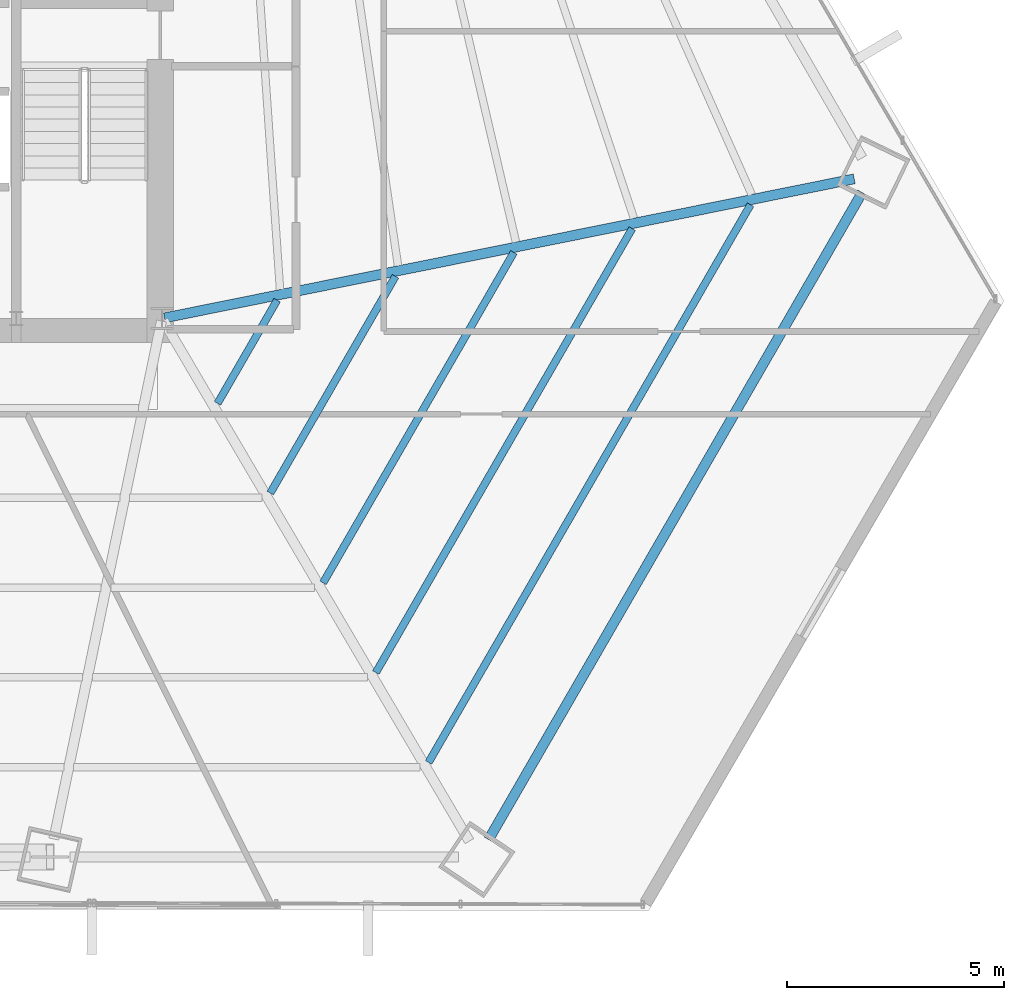
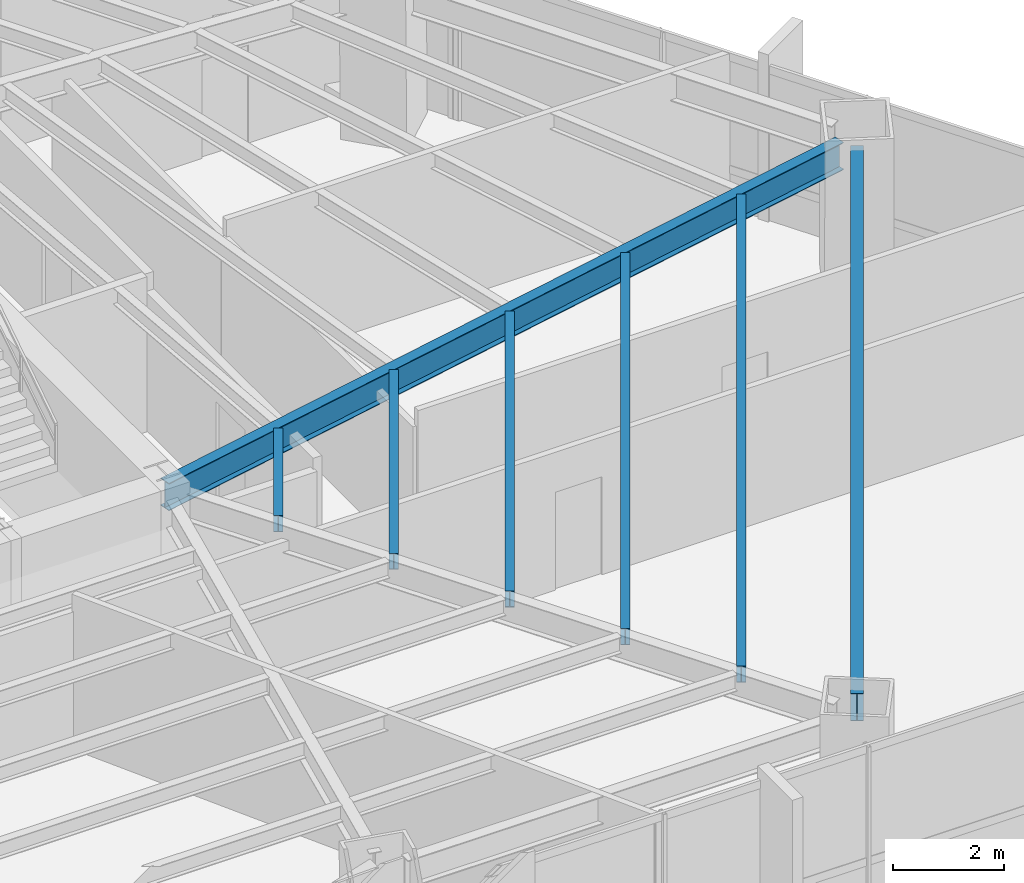
# One storey, part 15 of 33: 7 beams.
"""IFC4 building model written with IfcOpenShell, lengths in metres."""

from ifc_helpers import new_model, si_unit, direction, frame, origin, origin_2d, place, context, subcontext, project, spatial, i_section, extrude, source, transform, mapped, material, material_profile, profile_set, type_object, type_shapes, element, save


model = new_model("IFC4")

# Units and contexts
model_context = context("Model", 3, precision=1e-05, world=origin(), true_north=direction((0.0, 1.0)))
body_context = subcontext(model_context, "Body", "Model", "MODEL_VIEW")
ifc_project = project(units=[si_unit("LENGTHUNIT", "METRE"), si_unit("AREAUNIT", "SQUARE_METRE"), si_unit("VOLUMEUNIT", "CUBIC_METRE"), si_unit("PLANEANGLEUNIT", "RADIAN"), si_unit("MASSUNIT", "GRAM", prefix="KILO")], contexts=[model_context])

# Site, building, storey
site_placement = place(None, origin())
site = spatial("IfcSite", under=ifc_project, at=site_placement, CompositionType="ELEMENT")
building_placement = place(site_placement, origin())
building = spatial("IfcBuilding", under=site, at=building_placement, Name="Caelisora Broadcast Tower", CompositionType="ELEMENT")
storey_placement = place(building_placement, frame((0.0, 0.0, 34.89990234375)))
storey = spatial("IfcBuildingStorey", under=building, at=storey_placement, Name="L08", CompositionType="ELEMENT", Elevation=34.89990234375)

# Beams
ifc_material = material(Name="Steel Grade 350 (AS/NZS 3679.1)", Category="steel")
ifc_material_profile_1 = material_profile(ifc_material, i_section(OverallWidth=0.22900390625, OverallDepth=0.611572265625, WebThickness=0.011962890625, FlangeThickness=0.01953125, at=origin_2d()), Name="Steel Grade 350 (AS/NZS 3679.1)")
ifc_profile_set_1 = profile_set([ifc_material_profile_1], Name="Steel Grade 350 (AS/NZS 3679.1)")
beam_type_1 = type_object("IfcBeamType", Name="PG03", PredefinedType="BEAM", material=ifc_profile_set_1)
shared_shape_1 = source(origin(), body_context, "Body", "SweptSolid", [
    extrude(i_section(OverallWidth=0.22900390625, OverallDepth=0.611572265625, WebThickness=0.011962890625, FlangeThickness=0.01953125, at=origin_2d()), origin(), (0.0, 0.0, 1.0), 17.179931640625),
])
type_shapes(beam_type_1, [shared_shape_1])
beam_1_placement = place(storey_placement, frame((53.009765625, 5.415283203125, 3.09423828125), z_axis=(0.500007431298, 0.86602111328, 0.0), x_axis=(-0.86602111328, 0.500007431298, 0.0)))
element("IfcBeam", 1, at=beam_1_placement, inside=storey, type_object=beam_type_1, Name="L08 beam PG03", PredefinedType="BEAM", context=body_context, shape_type="MappedRepresentation", body=[
    mapped(shared_shape_1, transform((0.0, 0.0, 0.0), scale=1.0)),
])
ifc_material_profile_2 = material_profile(ifc_material, i_section(OverallWidth=0.22802734375, OverallDepth=0.602294921875, WebThickness=0.010498046875, FlangeThickness=0.014892578125, at=origin_2d()), Name="Steel Grade 350 (AS/NZS 3679.1)")
ifc_profile_set_2 = profile_set([ifc_material_profile_2], Name="Steel Grade 350 (AS/NZS 3679.1)")
beam_type_2 = type_object("IfcBeamType", Name="PG04", PredefinedType="BEAM", material=ifc_profile_set_2)
shared_shape_2 = source(origin(), body_context, "Body", "SweptSolid", [
    extrude(i_section(OverallWidth=0.22802734375, OverallDepth=0.602294921875, WebThickness=0.010498046875, FlangeThickness=0.014892578125, at=origin_2d()), origin(), (0.0, 0.0, 1.0), 16.178466796875),
])
type_shapes(beam_type_2, [shared_shape_2])
beam_2_placement = place(storey_placement, frame((45.558837890625, 17.411865234375, 3.098876953125), z_axis=(0.98028062823, 0.197610449918, 0.0), x_axis=(-0.197610449918, 0.98028062823, 0.0)))
element("IfcBeam", 2, at=beam_2_placement, inside=storey, type_object=beam_type_2, Name="L08 beam PG04", PredefinedType="BEAM", context=body_context, shape_type="MappedRepresentation", body=[
    mapped(shared_shape_2, transform((0.0, 0.0, 0.0), scale=1.0)),
])
ifc_material_profile_3 = material_profile(ifc_material, i_section(OverallWidth=0.172119140625, OverallDepth=0.358642578125, WebThickness=0.008056640625, FlangeThickness=0.012939453125, at=origin_2d()), Name="Steel Grade 350 (AS/NZS 3679.1)")
ifc_profile_set_3 = profile_set([ifc_material_profile_3], Name="Steel Grade 350 (AS/NZS 3679.1)")
beam_type_3 = type_object("IfcBeamType", Name="SB02", PredefinedType="JOIST", material=ifc_profile_set_3)
shared_shape_3 = source(origin(), body_context, "Body", "SweptSolid", [
    extrude(i_section(OverallWidth=0.172119140625, OverallDepth=0.358642578125, WebThickness=0.008056640625, FlangeThickness=0.012939453125, at=origin_2d()), origin(), (0.0, 0.0, 1.0), 2.73974609375),
])
beam_3_placement = place(storey_placement, frame((46.77734375, 15.447021484375, 3.220703125), z_axis=(0.500020724563, 0.866013438122, 0.0), x_axis=(-0.866013438122, 0.500020724563, 0.0)))
element("IfcBeam", 3, at=beam_3_placement, inside=storey, type_object=beam_type_3, Name="L08 beam SB02", PredefinedType="JOIST", context=body_context, shape_type="MappedRepresentation", body=[
    mapped(shared_shape_3, transform((0.0, 0.0, 0.0), scale=1.0)),
])
shared_shape_4 = source(origin(), body_context, "Body", "SweptSolid", [
    extrude(i_section(OverallWidth=0.172119140625, OverallDepth=0.358642578125, WebThickness=0.008056640625, FlangeThickness=0.012939453125, at=origin_2d()), origin(), (0.0, 0.0, 1.0), 5.75634765625),
])
beam_4_placement = place(storey_placement, frame((47.990478515625, 13.38330078125, 3.220703125), z_axis=(0.500052873733, 0.865994874968, 0.0), x_axis=(-0.865994874968, 0.500052873733, 0.0)))
element("IfcBeam", 4, at=beam_4_placement, inside=storey, type_object=beam_type_3, Name="L08 beam SB02", PredefinedType="JOIST", context=body_context, shape_type="MappedRepresentation", body=[
    mapped(shared_shape_4, transform((0.0, 0.0, 0.0), scale=1.0)),
])
shared_shape_5 = source(origin(), body_context, "Body", "SweptSolid", [
    extrude(i_section(OverallWidth=0.172119140625, OverallDepth=0.358642578125, WebThickness=0.008056640625, FlangeThickness=0.012939453125, at=origin_2d()), origin(), (0.0, 0.0, 1.0), 8.77294921875),
])
beam_5_placement = place(storey_placement, frame((49.203857421875, 11.3193359375, 3.220703125), z_axis=(0.499997070118, 0.866027095346, 0.0), x_axis=(-0.866027095346, 0.499997070118, 0.0)))
element("IfcBeam", 5, at=beam_5_placement, inside=storey, type_object=beam_type_3, Name="L08 beam SB02", PredefinedType="JOIST", context=body_context, shape_type="MappedRepresentation", body=[
    mapped(shared_shape_5, transform((0.0, 0.0, 0.0), scale=1.0)),
])
shared_shape_6 = source(origin(), body_context, "Body", "SweptSolid", [
    extrude(i_section(OverallWidth=0.172119140625, OverallDepth=0.358642578125, WebThickness=0.008056640625, FlangeThickness=0.012939453125, at=origin_2d()), origin(), (0.0, 0.0, 1.0), 11.78955078125),
])
beam_6_placement = place(storey_placement, frame((50.417236328125, 9.255615234375, 3.220703125), z_axis=(0.500003288626, 0.866023505087, 0.0), x_axis=(-0.866023505087, 0.500003288626, 0.0)))
element("IfcBeam", 6, at=beam_6_placement, inside=storey, type_object=beam_type_3, Name="L08 beam SB02", PredefinedType="JOIST", context=body_context, shape_type="MappedRepresentation", body=[
    mapped(shared_shape_6, transform((0.0, 0.0, 0.0), scale=1.0)),
])
shared_shape_7 = source(origin(), body_context, "Body", "SweptSolid", [
    extrude(i_section(OverallWidth=0.172119140625, OverallDepth=0.358642578125, WebThickness=0.008056640625, FlangeThickness=0.012939453125, at=origin_2d()), origin(), (0.0, 0.0, 1.0), 14.80615234375),
])
type_shapes(beam_type_3, [shared_shape_3, shared_shape_4, shared_shape_5, shared_shape_6, shared_shape_7])
beam_7_placement = place(storey_placement, frame((51.630615234375, 7.191650390625, 3.220703125), z_axis=(0.499999833195, 0.86602550009, 0.0), x_axis=(-0.86602550009, 0.499999833195, 0.0)))
element("IfcBeam", 7, at=beam_7_placement, inside=storey, type_object=beam_type_3, Name="L08 beam SB02", PredefinedType="JOIST", context=body_context, shape_type="MappedRepresentation", body=[
    mapped(shared_shape_7, transform((0.0, 0.0, 0.0), scale=1.0)),
])

save(model, "model.ifc")
